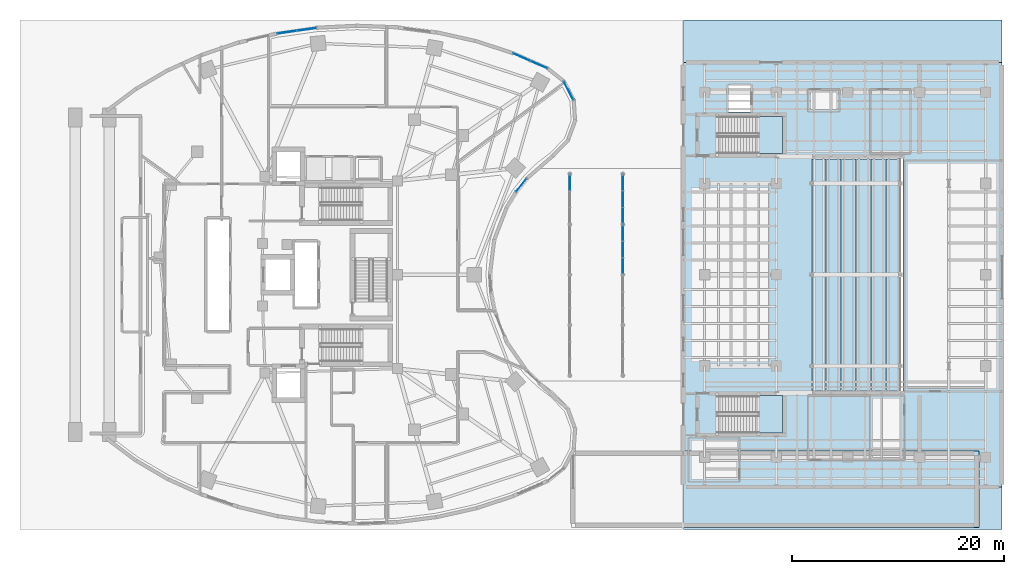
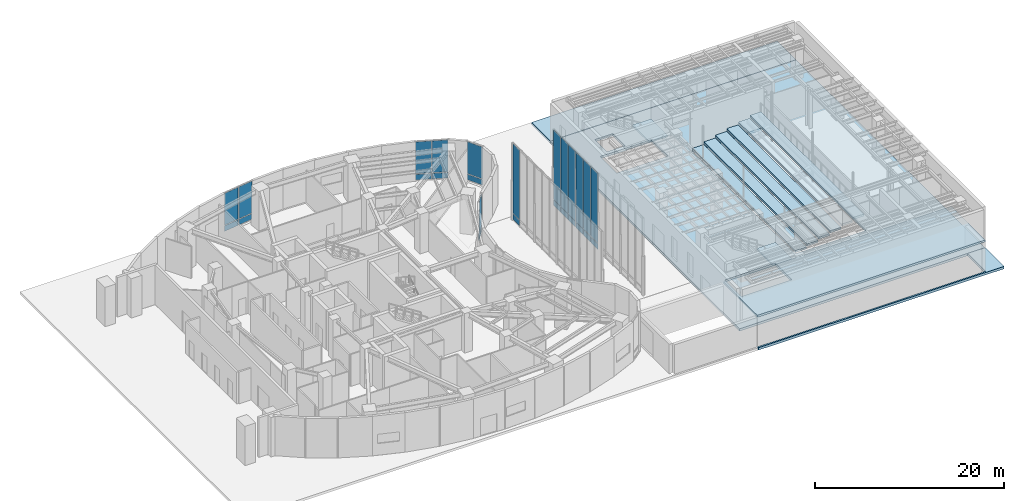
# One storey, part 15 of 28: 26 plates, 12 slabs, 9 elements without a shape of their own.
"""IFC4 building model written with IfcOpenShell, lengths in metres."""

from ifc_helpers import new_model, si_unit, direction, frame, origin, origin_2d, place, context, subcontext, project, spatial, polyline, rectangle, outline, extrude, material, layer, layer_set, type_object, element, aggregate, save


model = new_model("IFC4")

# Units and contexts
model_context = context("Model", 3, precision=1e-05, world=origin(), true_north=direction((0.0, 1.0)))
body_context = subcontext(model_context, "Body", "Model", "MODEL_VIEW")
ifc_project = project(units=[si_unit("LENGTHUNIT", "METRE"), si_unit("AREAUNIT", "SQUARE_METRE"), si_unit("VOLUMEUNIT", "CUBIC_METRE"), si_unit("PLANEANGLEUNIT", "RADIAN"), si_unit("MASSUNIT", "GRAM", prefix="KILO")], contexts=[model_context])

# Site, building, storey
site_placement = place(None, origin())
site = spatial("IfcSite", under=ifc_project, at=site_placement, CompositionType="ELEMENT")
building_placement = place(site_placement, origin())
building = spatial("IfcBuilding", under=site, at=building_placement, Name="Korentha Bioscience Tower", CompositionType="ELEMENT")
storey_placement = place(building_placement, origin())
storey = spatial("IfcBuildingStorey", under=building, at=storey_placement, Name="L00", CompositionType="ELEMENT", Elevation=0.0)

# Slabs
ifc_material_1 = material(Name="Concrete C50", Category="concrete")
ifc_layer_1 = layer(ifc_material_1, 0.260009765625, Name="Concrete C50")
ifc_layer_set_1 = layer_set([ifc_layer_1], Name="Concrete C50 (ST-TIER)")
slab_type_1 = type_object("IfcSlabType", Name="Auditorium Raked Seating Tier Slab 260", PredefinedType="USERDEFINED", material=ifc_layer_set_1)
slab_1_placement = place(storey_placement, frame((0.0, 0.0, 0.10009765625)))
element("IfcSlab", 1, at=slab_1_placement, inside=storey, type_object=slab_type_1, Name="L00 Auditorium Seating Tier 1", ObjectType="SEATING_TIER", PredefinedType="USERDEFINED", context=body_context, shape_type="SweptSolid", body=[
    extrude(outline(polyline([(76.60009765625, 16.10009765625), (77.949951171875, 16.10009765625), (77.949951171875, 37.89990234375), (76.60009765625, 37.89990234375), (76.60009765625, 16.10009765625)])), origin(), (0.0, 0.0, 1.0), 0.260009765625),
])
slab_2_placement = place(storey_placement, frame((0.0, 0.0, 0.4599609375)))
element("IfcSlab", 2, at=slab_2_placement, inside=storey, type_object=slab_type_1, Name="L00 Auditorium Seating Tier 2", ObjectType="SEATING_TIER", PredefinedType="USERDEFINED", context=body_context, shape_type="SweptSolid", body=[
    extrude(outline(polyline([(78.0, 16.10009765625), (79.35009765625, 16.10009765625), (79.35009765625, 37.89990234375), (78.0, 37.89990234375), (78.0, 16.10009765625)])), origin(), (0.0, 0.0, 1.0), 0.260009765625),
])
slab_3_placement = place(storey_placement, frame((0.0, 0.0, 0.820068359375)))
element("IfcSlab", 3, at=slab_3_placement, inside=storey, type_object=slab_type_1, Name="L00 Auditorium Seating Tier 3", ObjectType="SEATING_TIER", PredefinedType="USERDEFINED", context=body_context, shape_type="SweptSolid", body=[
    extrude(outline(polyline([(79.39990234375, 16.10009765625), (80.75, 16.10009765625), (80.75, 37.89990234375), (79.39990234375, 37.89990234375), (79.39990234375, 16.10009765625)])), origin(), (0.0, 0.0, 1.0), 0.260009765625),
])
slab_4_placement = place(storey_placement, frame((0.0, 0.0, 1.179931640625)))
element("IfcSlab", 4, at=slab_4_placement, inside=storey, type_object=slab_type_1, Name="L00 Auditorium Seating Tier 4", ObjectType="SEATING_TIER", PredefinedType="USERDEFINED", context=body_context, shape_type="SweptSolid", body=[
    extrude(outline(polyline([(80.800048828125, 16.10009765625), (82.14990234375, 16.10009765625), (82.14990234375, 37.89990234375), (80.800048828125, 37.89990234375), (80.800048828125, 16.10009765625)])), origin(), (0.0, 0.0, 1.0), 0.260009765625),
])
slab_5_placement = place(storey_placement, frame((0.0, 0.0, 1.5400390625)))
element("IfcSlab", 5, at=slab_5_placement, inside=storey, type_object=slab_type_1, Name="L00 Auditorium Seating Tier 5", ObjectType="SEATING_TIER", PredefinedType="USERDEFINED", context=body_context, shape_type="SweptSolid", body=[
    extrude(outline(polyline([(82.199951171875, 16.10009765625), (83.550048828125, 16.10009765625), (83.550048828125, 37.89990234375), (82.199951171875, 37.89990234375), (82.199951171875, 16.10009765625)])), origin(), (0.0, 0.0, 1.0), 0.260009765625),
])
slab_6_placement = place(storey_placement, frame((0.0, 0.0, 1.89990234375)))
element("IfcSlab", 6, at=slab_6_placement, inside=storey, type_object=slab_type_1, Name="L00 Auditorium Seating Tier 6", ObjectType="SEATING_TIER", PredefinedType="USERDEFINED", context=body_context, shape_type="SweptSolid", body=[
    extrude(outline(polyline([(83.60009765625, 16.10009765625), (84.949951171875, 16.10009765625), (84.949951171875, 37.89990234375), (83.60009765625, 37.89990234375), (83.60009765625, 16.10009765625)])), origin(), (0.0, 0.0, 1.0), 0.260009765625),
])
ifc_layer_2 = layer(ifc_material_1, 0.300048828125, Name="Concrete C50")
ifc_layer_set_2 = layer_set([ifc_layer_2], Name="Concrete C50 (SL-TH300)")
slab_type_2 = type_object("IfcSlabType", Name="Civic Theatre Floor Slab 300", PredefinedType="FLOOR", material=ifc_layer_set_2)
slab_7_placement = place(storey_placement, frame((0.0, 0.0, -0.300048828125)))
element("IfcSlab", 7, at=slab_7_placement, inside=storey, type_object=slab_type_2, Name="L00 Civic Performing-Arts Theatre Floor Slab", PredefinedType="FLOOR", context=body_context, shape_type="SweptSolid", body=[
    extrude(outline(polyline([(64.5, 7.0), (94.5, 7.0), (94.5, 47.0), (64.5, 47.0), (64.5, 7.0)]), holes=[polyline([(67.64990234375, 12.10009765625), (73.85009765625, 12.10009765625), (73.85009765625, 15.60009765625), (67.64990234375, 15.60009765625), (67.64990234375, 12.10009765625)]), polyline([(67.64990234375, 38.39990234375), (73.85009765625, 38.39990234375), (73.85009765625, 41.89990234375), (67.64990234375, 41.89990234375), (67.64990234375, 38.39990234375)]), polyline([(68.7099609375, 42.31005859375), (70.889892578125, 42.31005859375), (70.889892578125, 44.889892578125), (68.7099609375, 44.889892578125), (68.7099609375, 42.31005859375)]), polyline([(76.550048828125, 16.050048828125), (85.199951171875, 16.050048828125), (85.199951171875, 37.949951171875), (76.550048828125, 37.949951171875), (76.550048828125, 16.050048828125)])]), origin(), (0.0, 0.0, 1.0), 0.300048828125),
])

# Curtain wall, plates
ifc_material_2 = material(Name="Stone-Clad Aluminium Frame", Category="masonry")
ifc_layer_3 = layer(ifc_material_2, 0.219970703125, Name="Stone-Clad Aluminium Frame")
ifc_layer_set_3 = layer_set([ifc_layer_3], Name="Stone-Clad Aluminium Frame (CW-P1)")
curtain_wall_type_1 = type_object("IfcCurtainWallType", Name="Podium Double-Height Stone-Mullion Curtain Wall CW-P1", PredefinedType="USERDEFINED", material=ifc_layer_set_3)
curtain_wall_1_placement = place(storey_placement, origin())
curtain_wall_1 = element("IfcCurtainWall", 8, at=curtain_wall_1_placement, inside=storey, type_object=curtain_wall_type_1, Name="L00 Curtain Wall 01", ObjectType="UNITISED", PredefinedType="USERDEFINED")
ifc_material_3 = material(Name="Triple-Glazed Low-E Insulated Glass", Category="glass")
ifc_layer_4 = layer(ifc_material_3, 0.0439453125, Name="Triple-Glazed Low-E Insulated Glass")
ifc_layer_set_4 = layer_set([ifc_layer_4], Name="Triple-Glazed Low-E Insulated Glass (GL-44)")
plate_type = type_object("IfcPlateType", Name="Glazed Panel 44mm", PredefinedType="CURTAIN_PANEL", material=ifc_layer_set_4)
plate_1_placement = place(storey_placement, frame((50.893310546875, 46.780029296875, 0.08984375), z_axis=(0.0, 0.0, 1.0), x_axis=(-0.91593909057, 0.401317308828, 0.0)))
plate_1 = element("IfcPlate", 9, at=plate_1_placement, type_object=plate_type, Name="CW-L00-01 Bay 1 Glazed Panel 1", PredefinedType="CURTAIN_PANEL", context=body_context, shape_type="SweptSolid", body=[
    extrude(rectangle(XDim=1.701171875, YDim=0.0439453125, at=origin_2d()), origin(), (0.0, 0.0, 1.0), 0.715087890625),
])
plate_2_placement = place(storey_placement, frame((50.893310546875, 46.780029296875, 0.89501953125), z_axis=(0.0, 0.0, 1.0), x_axis=(-0.91593909057, 0.401317308828, 0.0)))
plate_2 = element("IfcPlate", 10, at=plate_2_placement, type_object=plate_type, Name="CW-L00-01 Bay 1 Glazed Panel 2", PredefinedType="CURTAIN_PANEL", context=body_context, shape_type="SweptSolid", body=[
    extrude(rectangle(XDim=1.701171875, YDim=0.0439453125, at=origin_2d()), origin(), (0.0, 0.0, 1.0), 4.114990234375),
])
plate_3_placement = place(storey_placement, frame((49.25244140625, 47.498779296875, 0.08984375), z_axis=(0.0, 0.0, 1.0), x_axis=(-0.91593909057, 0.401317308828, 0.0)))
plate_3 = element("IfcPlate", 11, at=plate_3_placement, type_object=plate_type, Name="CW-L00-01 Bay 2 Glazed Panel 1", PredefinedType="CURTAIN_PANEL", context=body_context, shape_type="SweptSolid", body=[
    extrude(rectangle(XDim=1.701171875, YDim=0.0439453125, at=origin_2d()), origin(), (0.0, 0.0, 1.0), 0.715087890625),
])
plate_4_placement = place(storey_placement, frame((49.25244140625, 47.498779296875, 0.89501953125), z_axis=(0.0, 0.0, 1.0), x_axis=(-0.91593909057, 0.401317308828, 0.0)))
plate_4 = element("IfcPlate", 12, at=plate_4_placement, type_object=plate_type, Name="CW-L00-01 Bay 2 Glazed Panel 2", PredefinedType="CURTAIN_PANEL", context=body_context, shape_type="SweptSolid", body=[
    extrude(rectangle(XDim=1.701171875, YDim=0.0439453125, at=origin_2d()), origin(), (0.0, 0.0, 1.0), 4.114990234375),
])
aggregate(curtain_wall_1, [plate_1, plate_2, plate_3, plate_4])

curtain_wall_2_placement = place(storey_placement, origin())
curtain_wall_2 = element("IfcCurtainWall", 13, at=curtain_wall_2_placement, inside=storey, type_object=curtain_wall_type_1, Name="L00 Curtain Wall 07", ObjectType="UNITISED", PredefinedType="USERDEFINED")
plate_5_placement = place(storey_placement, frame((29.0224609375, 50.11572265625, 0.08984375), z_axis=(0.0, 0.0, 1.0), x_axis=(-0.990167372968, -0.139887717511, 0.0)))
plate_5 = element("IfcPlate", 14, at=plate_5_placement, type_object=plate_type, Name="CW-L00-07 Bay 1 Glazed Panel 1", PredefinedType="CURTAIN_PANEL", context=body_context, shape_type="SweptSolid", body=[
    extrude(rectangle(XDim=1.800537109375, YDim=0.0439453125, at=origin_2d()), origin(), (0.0, 0.0, 1.0), 0.715087890625),
])
plate_6_placement = place(storey_placement, frame((29.0224609375, 50.11572265625, 0.89501953125), z_axis=(0.0, 0.0, 1.0), x_axis=(-0.990167372968, -0.139887717511, 0.0)))
plate_6 = element("IfcPlate", 15, at=plate_6_placement, type_object=plate_type, Name="CW-L00-07 Bay 1 Glazed Panel 2", PredefinedType="CURTAIN_PANEL", context=body_context, shape_type="SweptSolid", body=[
    extrude(rectangle(XDim=1.800537109375, YDim=0.0439453125, at=origin_2d()), origin(), (0.0, 0.0, 1.0), 4.114990234375),
])
plate_7_placement = place(storey_placement, frame((27.150634765625, 49.851318359375, 0.08984375), z_axis=(0.0, 0.0, 1.0), x_axis=(-0.990167372968, -0.139887717511, 0.0)))
plate_7 = element("IfcPlate", 16, at=plate_7_placement, type_object=plate_type, Name="CW-L00-07 Bay 2 Glazed Panel 1", PredefinedType="CURTAIN_PANEL", context=body_context, shape_type="SweptSolid", body=[
    extrude(rectangle(XDim=1.800537109375, YDim=0.0439453125, at=origin_2d()), origin(), (0.0, 0.0, 1.0), 0.715087890625),
])
plate_8_placement = place(storey_placement, frame((27.150634765625, 49.851318359375, 0.89501953125), z_axis=(0.0, 0.0, 1.0), x_axis=(-0.990167372968, -0.139887717511, 0.0)))
plate_8 = element("IfcPlate", 17, at=plate_8_placement, type_object=plate_type, Name="CW-L00-07 Bay 2 Glazed Panel 2", PredefinedType="CURTAIN_PANEL", context=body_context, shape_type="SweptSolid", body=[
    extrude(rectangle(XDim=1.800537109375, YDim=0.0439453125, at=origin_2d()), origin(), (0.0, 0.0, 1.0), 4.114990234375),
])
aggregate(curtain_wall_2, [plate_5, plate_6, plate_7, plate_8])

curtain_wall_3_placement = place(storey_placement, origin())
curtain_wall_3 = element("IfcCurtainWall", 18, at=curtain_wall_3_placement, inside=storey, type_object=curtain_wall_type_1, Name="L00 Curtain Wall 55", ObjectType="UNITISED", PredefinedType="USERDEFINED")
plate_9_placement = place(storey_placement, frame((49.226318359375, 35.434814453125, 0.08984375), z_axis=(0.0, 0.0, 1.0), x_axis=(0.622520324648, 0.782603632371, 0.0)))
plate_9 = element("IfcPlate", 19, at=plate_9_placement, type_object=plate_type, Name="CW-L00-55 Bay 1 Glazed Panel 1", PredefinedType="CURTAIN_PANEL", context=body_context, shape_type="SweptSolid", body=[
    extrude(rectangle(XDim=1.537841796875, YDim=0.0439453125, at=origin_2d()), origin(), (0.0, 0.0, 1.0), 0.715087890625),
])
plate_10_placement = place(storey_placement, frame((49.226318359375, 35.434814453125, 0.89501953125), z_axis=(0.0, 0.0, 1.0), x_axis=(0.622520324648, 0.782603632371, 0.0)))
plate_10 = element("IfcPlate", 20, at=plate_10_placement, type_object=plate_type, Name="CW-L00-55 Bay 1 Glazed Panel 2", PredefinedType="CURTAIN_PANEL", context=body_context, shape_type="SweptSolid", body=[
    extrude(rectangle(XDim=1.537841796875, YDim=0.0439453125, at=origin_2d()), origin(), (0.0, 0.0, 1.0), 4.114990234375),
])
aggregate(curtain_wall_3, [plate_9, plate_10])

curtain_wall_4_placement = place(storey_placement, origin())
curtain_wall_4 = element("IfcCurtainWall", 21, at=curtain_wall_4_placement, inside=storey, type_object=curtain_wall_type_1, Name="L00 Curtain Wall 61", ObjectType="UNITISED", PredefinedType="USERDEFINED")
plate_11_placement = place(storey_placement, frame((53.6962890625, 44.32958984375, 0.08984375), z_axis=(0.0, 0.0, 1.0), x_axis=(-0.463008597697, 0.886353788539, 0.0)))
plate_11 = element("IfcPlate", 22, at=plate_11_placement, type_object=plate_type, Name="CW-L00-61 Bay 1 Glazed Panel 1", PredefinedType="CURTAIN_PANEL", context=body_context, shape_type="SweptSolid", body=[
    extrude(rectangle(XDim=1.927734375, YDim=0.0439453125, at=origin_2d()), origin(), (0.0, 0.0, 1.0), 0.715087890625),
])
plate_12_placement = place(storey_placement, frame((53.6962890625, 44.32958984375, 0.89501953125), z_axis=(0.0, 0.0, 1.0), x_axis=(-0.463008597697, 0.886353788539, 0.0)))
plate_12 = element("IfcPlate", 23, at=plate_12_placement, type_object=plate_type, Name="CW-L00-61 Bay 1 Glazed Panel 2", PredefinedType="CURTAIN_PANEL", context=body_context, shape_type="SweptSolid", body=[
    extrude(rectangle(XDim=1.927734375, YDim=0.0439453125, at=origin_2d()), origin(), (0.0, 0.0, 1.0), 4.114990234375),
])
aggregate(curtain_wall_4, [plate_11, plate_12])

ifc_material_4 = material(Name="Painted Steel-Aluminium Mullion System", Category="steel")
ifc_layer_5 = layer(ifc_material_4, 0.219970703125, Name="Painted Steel-Aluminium Mullion System")
ifc_layer_set_5 = layer_set([ifc_layer_5], Name="Painted Steel-Aluminium Mullion System (CW-A1)")
curtain_wall_type_2 = type_object("IfcCurtainWallType", Name="Covered Public Arcade Glazed Wall CW-A1", PredefinedType="USERDEFINED", material=ifc_layer_set_5)
curtain_wall_5_placement = place(storey_placement, origin())
curtain_wall_5 = element("IfcCurtainWall", 24, at=curtain_wall_5_placement, inside=storey, type_object=curtain_wall_type_2, Name="Covered Arcade Curtain Wall E-3", ObjectType="ARCADE_GLAZING", PredefinedType="USERDEFINED")
plate_13_placement = place(storey_placement, frame((58.800048828125, 27.814208984375, 0.08984375), z_axis=(0.0, 0.0, 1.0), x_axis=(0.0, 1.0, 0.0)))
plate_13 = element("IfcPlate", 25, at=plate_13_placement, type_object=plate_type, Name="CW-ARC-E-3 Bay 1 Glazed Panel 1", PredefinedType="CURTAIN_PANEL", context=body_context, shape_type="SweptSolid", body=[
    extrude(rectangle(XDim=1.4482421875, YDim=0.0439453125, at=origin_2d()), origin(), (0.0, 0.0, 1.0), 0.715087890625),
])
plate_14_placement = place(storey_placement, frame((58.800048828125, 27.814208984375, 0.89501953125), z_axis=(0.0, 0.0, 1.0), x_axis=(0.0, 1.0, 0.0)))
plate_14 = element("IfcPlate", 26, at=plate_14_placement, type_object=plate_type, Name="CW-ARC-E-3 Bay 1 Glazed Panel 2", PredefinedType="CURTAIN_PANEL", context=body_context, shape_type="SweptSolid", body=[
    extrude(rectangle(XDim=1.4482421875, YDim=0.0439453125, at=origin_2d()), origin(), (0.0, 0.0, 1.0), 8.97509765625),
])
plate_15_placement = place(storey_placement, frame((58.800048828125, 29.375, 0.08984375), z_axis=(0.0, 0.0, 1.0), x_axis=(0.0, 1.0, 0.0)))
plate_15 = element("IfcPlate", 27, at=plate_15_placement, type_object=plate_type, Name="CW-ARC-E-3 Bay 2 Glazed Panel 1", PredefinedType="CURTAIN_PANEL", context=body_context, shape_type="SweptSolid", body=[
    extrude(rectangle(XDim=1.493408203125, YDim=0.0439453125, at=origin_2d()), origin(), (0.0, 0.0, 1.0), 0.715087890625),
])
plate_16_placement = place(storey_placement, frame((58.800048828125, 29.375, 0.89501953125), z_axis=(0.0, 0.0, 1.0), x_axis=(0.0, 1.0, 0.0)))
plate_16 = element("IfcPlate", 28, at=plate_16_placement, type_object=plate_type, Name="CW-ARC-E-3 Bay 2 Glazed Panel 2", PredefinedType="CURTAIN_PANEL", context=body_context, shape_type="SweptSolid", body=[
    extrude(rectangle(XDim=1.493408203125, YDim=0.0439453125, at=origin_2d()), origin(), (0.0, 0.0, 1.0), 8.97509765625),
])
plate_17_placement = place(storey_placement, frame((58.800048828125, 30.935791015625, 0.08984375), z_axis=(0.0, 0.0, 1.0), x_axis=(0.0, 1.0, 0.0)))
plate_17 = element("IfcPlate", 29, at=plate_17_placement, type_object=plate_type, Name="CW-ARC-E-3 Bay 3 Glazed Panel 1", PredefinedType="CURTAIN_PANEL", context=body_context, shape_type="SweptSolid", body=[
    extrude(rectangle(XDim=1.4482421875, YDim=0.0439453125, at=origin_2d()), origin(), (0.0, 0.0, 1.0), 0.715087890625),
])
plate_18_placement = place(storey_placement, frame((58.800048828125, 30.935791015625, 0.89501953125), z_axis=(0.0, 0.0, 1.0), x_axis=(0.0, 1.0, 0.0)))
plate_18 = element("IfcPlate", 30, at=plate_18_placement, type_object=plate_type, Name="CW-ARC-E-3 Bay 3 Glazed Panel 2", PredefinedType="CURTAIN_PANEL", context=body_context, shape_type="SweptSolid", body=[
    extrude(rectangle(XDim=1.4482421875, YDim=0.0439453125, at=origin_2d()), origin(), (0.0, 0.0, 1.0), 8.97509765625),
])
aggregate(curtain_wall_5, [plate_13, plate_14, plate_15, plate_16, plate_17, plate_18])

curtain_wall_6_placement = place(storey_placement, origin())
curtain_wall_6 = element("IfcCurtainWall", 31, at=curtain_wall_6_placement, inside=storey, type_object=curtain_wall_type_2, Name="Covered Arcade Curtain Wall E-4", ObjectType="ARCADE_GLAZING", PredefinedType="USERDEFINED")
plate_19_placement = place(storey_placement, frame((58.800048828125, 32.564208984375, 0.08984375), z_axis=(0.0, 0.0, 1.0), x_axis=(0.0, 1.0, 0.0)))
plate_19 = element("IfcPlate", 32, at=plate_19_placement, type_object=plate_type, Name="CW-ARC-E-4 Bay 1 Glazed Panel 1", PredefinedType="CURTAIN_PANEL", context=body_context, shape_type="SweptSolid", body=[
    extrude(rectangle(XDim=1.4482421875, YDim=0.0439453125, at=origin_2d()), origin(), (0.0, 0.0, 1.0), 0.715087890625),
])
plate_20_placement = place(storey_placement, frame((58.800048828125, 32.564208984375, 0.89501953125), z_axis=(0.0, 0.0, 1.0), x_axis=(0.0, 1.0, 0.0)))
plate_20 = element("IfcPlate", 33, at=plate_20_placement, type_object=plate_type, Name="CW-ARC-E-4 Bay 1 Glazed Panel 2", PredefinedType="CURTAIN_PANEL", context=body_context, shape_type="SweptSolid", body=[
    extrude(rectangle(XDim=1.4482421875, YDim=0.0439453125, at=origin_2d()), origin(), (0.0, 0.0, 1.0), 8.97509765625),
])
plate_21_placement = place(storey_placement, frame((58.800048828125, 34.125, 0.08984375), z_axis=(0.0, 0.0, 1.0), x_axis=(0.0, 1.0, 0.0)))
plate_21 = element("IfcPlate", 34, at=plate_21_placement, type_object=plate_type, Name="CW-ARC-E-4 Bay 2 Glazed Panel 1", PredefinedType="CURTAIN_PANEL", context=body_context, shape_type="SweptSolid", body=[
    extrude(rectangle(XDim=1.493408203125, YDim=0.0439453125, at=origin_2d()), origin(), (0.0, 0.0, 1.0), 0.715087890625),
])
plate_22_placement = place(storey_placement, frame((58.800048828125, 34.125, 0.89501953125), z_axis=(0.0, 0.0, 1.0), x_axis=(0.0, 1.0, 0.0)))
plate_22 = element("IfcPlate", 35, at=plate_22_placement, type_object=plate_type, Name="CW-ARC-E-4 Bay 2 Glazed Panel 2", PredefinedType="CURTAIN_PANEL", context=body_context, shape_type="SweptSolid", body=[
    extrude(rectangle(XDim=1.493408203125, YDim=0.0439453125, at=origin_2d()), origin(), (0.0, 0.0, 1.0), 8.97509765625),
])
plate_23_placement = place(storey_placement, frame((58.800048828125, 35.685791015625, 0.08984375), z_axis=(0.0, 0.0, 1.0), x_axis=(0.0, 1.0, 0.0)))
plate_23 = element("IfcPlate", 36, at=plate_23_placement, type_object=plate_type, Name="CW-ARC-E-4 Bay 3 Glazed Panel 1", PredefinedType="CURTAIN_PANEL", context=body_context, shape_type="SweptSolid", body=[
    extrude(rectangle(XDim=1.4482421875, YDim=0.0439453125, at=origin_2d()), origin(), (0.0, 0.0, 1.0), 0.715087890625),
])
plate_24_placement = place(storey_placement, frame((58.800048828125, 35.685791015625, 0.89501953125), z_axis=(0.0, 0.0, 1.0), x_axis=(0.0, 1.0, 0.0)))
plate_24 = element("IfcPlate", 37, at=plate_24_placement, type_object=plate_type, Name="CW-ARC-E-4 Bay 3 Glazed Panel 2", PredefinedType="CURTAIN_PANEL", context=body_context, shape_type="SweptSolid", body=[
    extrude(rectangle(XDim=1.4482421875, YDim=0.0439453125, at=origin_2d()), origin(), (0.0, 0.0, 1.0), 8.97509765625),
])
aggregate(curtain_wall_6, [plate_19, plate_20, plate_21, plate_22, plate_23, plate_24])

curtain_wall_7_placement = place(storey_placement, origin())
curtain_wall_7 = element("IfcCurtainWall", 38, at=curtain_wall_7_placement, inside=storey, type_object=curtain_wall_type_2, Name="Covered Arcade Curtain Wall W-4", ObjectType="ARCADE_GLAZING", PredefinedType="USERDEFINED")
plate_25_placement = place(storey_placement, frame((53.800048828125, 35.685791015625, 0.08984375), z_axis=(0.0, 0.0, 1.0), x_axis=(0.0, 1.0, 0.0)))
plate_25 = element("IfcPlate", 39, at=plate_25_placement, type_object=plate_type, Name="CW-ARC-W-4 Bay 3 Glazed Panel 1", PredefinedType="CURTAIN_PANEL", context=body_context, shape_type="SweptSolid", body=[
    extrude(rectangle(XDim=1.4482421875, YDim=0.0439453125, at=origin_2d()), origin(), (0.0, 0.0, 1.0), 0.715087890625),
])
plate_26_placement = place(storey_placement, frame((53.800048828125, 35.685791015625, 0.89501953125), z_axis=(0.0, 0.0, 1.0), x_axis=(0.0, 1.0, 0.0)))
plate_26 = element("IfcPlate", 40, at=plate_26_placement, type_object=plate_type, Name="CW-ARC-W-4 Bay 3 Glazed Panel 2", PredefinedType="CURTAIN_PANEL", context=body_context, shape_type="SweptSolid", body=[
    extrude(rectangle(XDim=1.4482421875, YDim=0.0439453125, at=origin_2d()), origin(), (0.0, 0.0, 1.0), 8.97509765625),
])
aggregate(curtain_wall_7, [plate_25, plate_26])

# Stair, slab
ifc_material_5 = material(Name="Precast Concrete C50", Category="concrete")
stair_type = type_object("IfcStairType", Name="Theatre Public Dog-Leg Stair 1650", PredefinedType="HALF_TURN_STAIR", material=ifc_material_5)
stair_1_placement = place(storey_placement, origin())
stair_1 = element("IfcStair", 41, at=stair_1_placement, inside=storey, type_object=stair_type, Name="L00 Civic Theatre South Exit Stair ST-T1", PredefinedType="HALF_TURN_STAIR")
ifc_layer_6 = layer(ifc_material_1, 0.199951171875, Name="Concrete C50")
ifc_layer_set_6 = layer_set([ifc_layer_6], Name="Concrete C50 (SL-LND)")
slab_type_3 = type_object("IfcSlabType", Name="Landing Slab 200", PredefinedType="LANDING", material=ifc_layer_set_6)
slab_8_placement = place(storey_placement, frame((0.0, 0.0, 2.5)))
slab_8 = element("IfcSlab", 42, at=slab_8_placement, type_object=slab_type_3, Name="ST-T1 landing 1", PredefinedType="LANDING", context=body_context, shape_type="SweptSolid", body=[
    extrude(outline(polyline([(71.570068359375, 12.10009765625), (73.85009765625, 12.10009765625), (73.85009765625, 15.60009765625), (71.570068359375, 15.60009765625), (71.570068359375, 12.10009765625)])), origin(), (0.0, 0.0, 1.0), 0.199951171875),
])
aggregate(stair_1, [slab_8])

stair_2_placement = place(storey_placement, origin())
stair_2 = element("IfcStair", 43, at=stair_2_placement, inside=storey, type_object=stair_type, Name="L00 Civic Theatre North Exit Stair ST-T2", PredefinedType="HALF_TURN_STAIR")
slab_9_placement = place(storey_placement, frame((0.0, 0.0, 2.5)))
slab_9 = element("IfcSlab", 44, at=slab_9_placement, type_object=slab_type_3, Name="ST-T2 landing 1", PredefinedType="LANDING", context=body_context, shape_type="SweptSolid", body=[
    extrude(outline(polyline([(71.570068359375, 38.39990234375), (73.85009765625, 38.39990234375), (73.85009765625, 41.89990234375), (71.570068359375, 41.89990234375), (71.570068359375, 38.39990234375)])), origin(), (0.0, 0.0, 1.0), 0.199951171875),
])
aggregate(stair_2, [slab_9])

# Slabs
ifc_layer_7 = layer(ifc_material_1, 0.320068359375, Name="Concrete C50")
ifc_layer_set_7 = layer_set([ifc_layer_7], Name="Concrete C50 (PV-250)")
slab_type_4 = type_object("IfcSlabType", Name="Public Plaza Paving Slab 250", PredefinedType="USERDEFINED", material=ifc_layer_set_7)
slab_10_placement = place(storey_placement, frame((0.0, 0.0, -0.320068359375)))
element("IfcSlab", 45, at=slab_10_placement, inside=storey, type_object=slab_type_4, Name="Ground Level Public Plaza and Forecourt Deck 1", ObjectType="PAVING", PredefinedType="USERDEFINED", context=body_context, shape_type="SweptSolid", body=[
    extrude(outline(polyline([(94.5, 3.0), (94.5, 6.991943359375), (92.35791015625, 6.991943359375), (92.35791015625, 3.199951171875), (92.35791015625, 3.19921875), (92.35791015625, 3.198486328125), (92.357666015625, 3.19775390625), (92.357421875, 3.197021484375), (92.357177734375, 3.1962890625), (92.356689453125, 3.195556640625), (92.356201171875, 3.19482421875), (92.355712890625, 3.1943359375), (92.35498046875, 3.19384765625), (92.3544921875, 3.193359375), (92.353759765625, 3.19287109375), (92.35302734375, 3.192626953125), (92.352294921875, 3.1923828125), (92.3515625, 3.192138671875), (92.350830078125, 3.19189453125), (92.35009765625, 3.19189453125), (64.5, 3.19189453125), (64.5, 3.0), (94.5, 3.0)])), origin(), (0.0, 0.0, 1.0), 0.320068359375),
])
slab_11_placement = place(storey_placement, frame((0.0, 0.0, -0.320068359375)))
element("IfcSlab", 46, at=slab_11_placement, inside=storey, type_object=slab_type_4, Name="Ground Level Public Plaza and Forecourt Deck 3", ObjectType="PAVING", PredefinedType="USERDEFINED", context=body_context, shape_type="SweptSolid", body=[
    extrude(outline(polyline([(64.5, 51.0), (64.5, 47.008056640625), (94.5, 47.008056640625), (94.5, 51.0), (64.5, 51.0)])), origin(), (0.0, 0.0, 1.0), 0.320068359375),
])
ifc_layer_8 = layer(ifc_material_1, 0.239990234375, Name="Concrete C50")
ifc_layer_set_8 = layer_set([ifc_layer_8], Name="Concrete C50 (RF-H240)")
slab_type_5 = type_object("IfcSlabType", Name="Roof Access Headhouse Roof Slab 240", PredefinedType="ROOF", material=ifc_layer_set_8)
slab_12_placement = place(storey_placement, frame((0.0, 0.0, 3.800048828125)))
element("IfcSlab", 47, at=slab_12_placement, inside=storey, type_object=slab_type_5, Name="L00 Car-Park Portal East Canopy Roof Slab", PredefinedType="ROOF", context=body_context, shape_type="SweptSolid", body=[
    extrude(outline(polyline([(64.5, 3.199951171875), (92.35009765625, 3.199951171875), (92.35009765625, 10.39990234375), (64.5, 10.39990234375), (64.5, 3.199951171875)])), origin(), (0.0, 0.0, 1.0), 0.239990234375),
])

save(model, "model.ifc")
